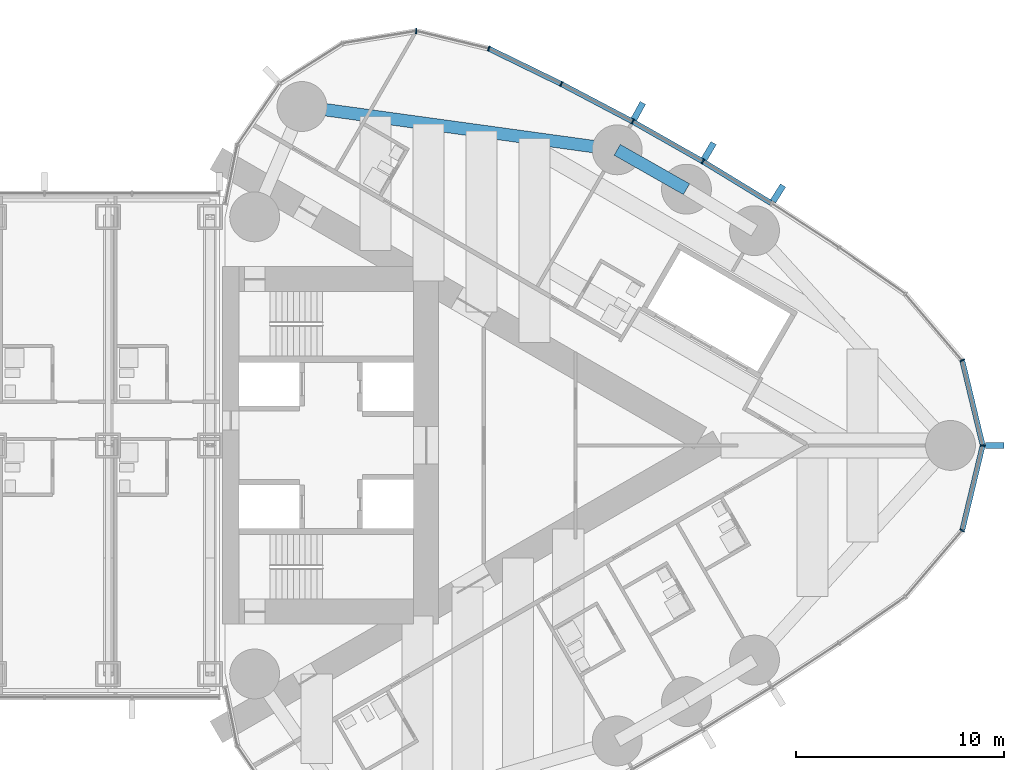
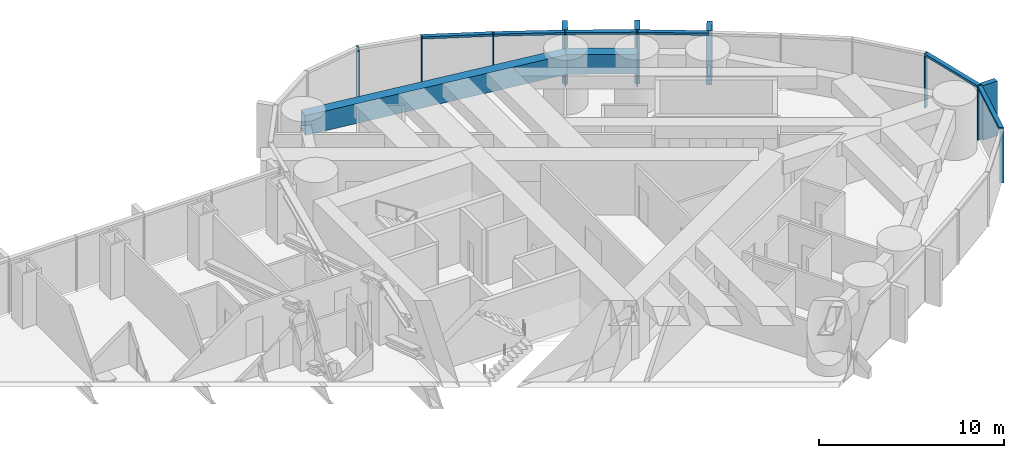
# One storey, part 11 of 23: 18 members, 2 beams, 1 element without a shape of its own.
"""IFC4 building model written with IfcOpenShell, lengths in metres."""

from ifc_helpers import new_model, si_unit, direction, frame, origin, origin_2d, place, context, subcontext, project, spatial, rectangle, hollow_rectangle, extrude, material, material_profile, profile_set, type_object, element, aggregate, save


model = new_model("IFC4")

# Units and contexts
model_context = context("Model", 3, precision=1e-05, world=origin(), true_north=direction((0.0, 1.0)))
body_context = subcontext(model_context, "Body", "Model", "MODEL_VIEW")
ifc_project = project(units=[si_unit("LENGTHUNIT", "METRE"), si_unit("AREAUNIT", "SQUARE_METRE"), si_unit("VOLUMEUNIT", "CUBIC_METRE"), si_unit("PLANEANGLEUNIT", "RADIAN"), si_unit("MASSUNIT", "GRAM", prefix="KILO")], contexts=[model_context])

# Site, building, storey
site_placement = place(None, origin())
site = spatial("IfcSite", under=ifc_project, at=site_placement, CompositionType="ELEMENT")
building_placement = place(site_placement, origin())
building = spatial("IfcBuilding", under=site, at=building_placement, Name="Lancet Gate Hotel", CompositionType="ELEMENT")
storey_placement = place(building_placement, frame((0.0, 0.0, 215.300048828125)))
storey = spatial("IfcBuildingStorey", under=building, at=storey_placement, Name="L57", CompositionType="ELEMENT", Elevation=215.300048828125)

# Curtain wall, members
ifc_material_1 = material(Name="Aluminium curtain wall", Category="aluminium")
curtain_wall_type = type_object("IfcCurtainWallType", Name="Tower unitised curtain wall", PredefinedType="USERDEFINED", material=ifc_material_1)
curtain_wall_placement = place(storey_placement, origin())
curtain_wall = element("IfcCurtainWall", 1, at=curtain_wall_placement, inside=storey, type_object=curtain_wall_type, Name="T2 L57 curtain wall 1", ObjectType="UNITISED CURTAIN WALL", PredefinedType="USERDEFINED")
ifc_material_2 = material(Name="Aluminium mullion", Category="aluminium")
ifc_material_profile_1 = material_profile(ifc_material_2, rectangle(XDim=0.06494140625, YDim=0.25, at=origin_2d()), Name="MULLION 65x250")
ifc_profile_set_1 = profile_set([ifc_material_profile_1], Name="Aluminium mullion")
member_type_1 = type_object("IfcMemberType", Name="Aluminium mullion 65x250", PredefinedType="MULLION", material=ifc_profile_set_1)
member_1_placement = place(storey_placement, frame((63.1064453125, -4.09375, 0.0), z_axis=(0.0, 0.0, 1.0), x_axis=(0.454852851296, 0.890566608215, 0.0)))
member_1 = element("IfcMember", 2, at=member_1_placement, type_object=member_type_1, Name="T2 L57 curtain wall 1 mullion 13", PredefinedType="MULLION", context=body_context, shape_type="SweptSolid", body=[
    extrude(rectangle(XDim=0.06494140625, YDim=0.25, at=origin_2d()), origin(), (0.0, 0.0, 1.0), 3.599853515625),
])
member_2_placement = place(storey_placement, frame((64.09130859375, 0.0, 0.0), z_axis=(0.0, 0.0, 1.0), x_axis=(0.0, 1.0, 0.0)))
member_2 = element("IfcMember", 3, at=member_2_placement, type_object=member_type_1, Name="T2 L57 curtain wall 1 mullion 14", PredefinedType="MULLION", context=body_context, shape_type="SweptSolid", body=[
    extrude(rectangle(XDim=0.06494140625, YDim=0.25, at=origin_2d()), origin(), (0.0, 0.0, 1.0), 3.599853515625),
])
member_3_placement = place(storey_placement, frame((63.1064453125, 4.09375, 0.0), z_axis=(0.0, 0.0, 1.0), x_axis=(-0.454852851296, 0.890566608215, 0.0)))
member_3 = element("IfcMember", 4, at=member_3_placement, type_object=member_type_1, Name="T2 L57 curtain wall 1 mullion 15", PredefinedType="MULLION", context=body_context, shape_type="SweptSolid", body=[
    extrude(rectangle(XDim=0.06494140625, YDim=0.25, at=origin_2d()), origin(), (0.0, 0.0, 1.0), 3.599853515625),
])
member_4_placement = place(storey_placement, frame((50.62060546875, 13.667236328125, 0.0), z_axis=(0.0, 0.0, 1.0), x_axis=(-0.861691755738, 0.507432082247, 0.0)))
member_4 = element("IfcMember", 5, at=member_4_placement, type_object=member_type_1, Name="T2 L57 curtain wall 1 mullion 19", PredefinedType="MULLION", context=body_context, shape_type="SweptSolid", body=[
    extrude(rectangle(XDim=0.06494140625, YDim=0.25, at=origin_2d()), origin(), (0.0, 0.0, 1.0), 3.599853515625),
])
member_5_placement = place(storey_placement, frame((47.24365234375, 15.585205078125, 0.0), z_axis=(0.0, 0.0, 1.0), x_axis=(-0.877194589488, 0.480135035352, 0.0)))
member_5 = element("IfcMember", 6, at=member_5_placement, type_object=member_type_1, Name="T2 L57 curtain wall 1 mullion 20", PredefinedType="MULLION", context=body_context, shape_type="SweptSolid", body=[
    extrude(rectangle(XDim=0.06494140625, YDim=0.25, at=origin_2d()), origin(), (0.0, 0.0, 1.0), 3.599853515625),
])
member_6_placement = place(storey_placement, frame((43.80810546875, 17.396240234375, 0.0), z_axis=(0.0, 0.0, 1.0), x_axis=(-0.891832977257, 0.452364831389, 0.0)))
member_6 = element("IfcMember", 7, at=member_6_placement, type_object=member_type_1, Name="T2 L57 curtain wall 1 mullion 21", PredefinedType="MULLION", context=body_context, shape_type="SweptSolid", body=[
    extrude(rectangle(XDim=0.06494140625, YDim=0.25, at=origin_2d()), origin(), (0.0, 0.0, 1.0), 3.599853515625),
])
member_7_placement = place(storey_placement, frame((40.3173828125, 19.098388671875, 0.0), z_axis=(0.0, 0.0, 1.0), x_axis=(-0.939483740419, 0.342593493061, 0.0)))
member_7 = element("IfcMember", 8, at=member_7_placement, type_object=member_type_1, Name="T2 L57 curtain wall 1 mullion 22", PredefinedType="MULLION", context=body_context, shape_type="SweptSolid", body=[
    extrude(rectangle(XDim=0.06494140625, YDim=0.25, at=origin_2d()), origin(), (0.0, 0.0, 1.0), 3.599853515625),
])
member_8_placement = place(storey_placement, frame((36.826171875, 19.942138671875, 0.0), z_axis=(0.0, 0.0, 1.0), x_axis=(-0.999342744911, 0.03625021647, 0.0)))
member_8 = element("IfcMember", 9, at=member_8_placement, type_object=member_type_1, Name="T2 L57 curtain wall 1 mullion 23", PredefinedType="MULLION", context=body_context, shape_type="SweptSolid", body=[
    extrude(rectangle(XDim=0.06494140625, YDim=0.25, at=origin_2d()), origin(), (0.0, 0.0, 1.0), 3.599853515625),
])
ifc_material_3 = material(Name="Aluminium transom", Category="aluminium")
ifc_material_profile_2 = material_profile(ifc_material_3, rectangle(XDim=0.25, YDim=0.14990234375, at=origin_2d()), Name="TRANSOM 250x150")
ifc_profile_set_2 = profile_set([ifc_material_profile_2], Name="Aluminium transom")
member_type_2 = type_object("IfcMemberType", Name="Aluminium transom 250x150", PredefinedType="USERDEFINED", material=ifc_profile_set_2)
member_9_placement = place(storey_placement, frame((63.114013671875, -4.06201171875, 3.52490234375), z_axis=(0.233920855872, 0.972255641891, 0.0), x_axis=(-0.972255641891, 0.233920855872, 0.0)))
member_9 = element("IfcMember", 10, at=member_9_placement, type_object=member_type_2, Name="T2 L57 curtain wall 1 transom 13", ObjectType="TRANSOM", PredefinedType="USERDEFINED", context=body_context, shape_type="SweptSolid", body=[
    extrude(rectangle(XDim=0.25, YDim=0.14990234375, at=origin_2d()), origin(), (0.0, 0.0, 1.0), 4.1455078125),
])
member_10_placement = place(storey_placement, frame((64.083740234375, 0.031494140625, 3.52490234375), z_axis=(-0.233920855872, 0.972255641891, 0.0), x_axis=(-0.972255641891, -0.233920855872, 0.0)))
member_10 = element("IfcMember", 11, at=member_10_placement, type_object=member_type_2, Name="T2 L57 curtain wall 1 transom 14", ObjectType="TRANSOM", PredefinedType="USERDEFINED", context=body_context, shape_type="SweptSolid", body=[
    extrude(rectangle(XDim=0.25, YDim=0.14990234375, at=origin_2d()), origin(), (0.0, 0.0, 1.0), 4.1455078125),
])
member_11_placement = place(storey_placement, frame((53.907958984375, 11.661376953125, 3.52490234375), z_axis=(-0.853638798527, 0.520865435261, 0.0), x_axis=(-0.520865435261, -0.853638798527, 0.0)))
member_11 = element("IfcMember", 12, at=member_11_placement, type_object=member_type_2, Name="T2 L57 curtain wall 1 transom 18", ObjectType="TRANSOM", PredefinedType="USERDEFINED", context=body_context, shape_type="SweptSolid", body=[
    extrude(rectangle(XDim=0.25, YDim=0.14990234375, at=origin_2d()), origin(), (0.0, 0.0, 1.0), 3.818603515625),
])
member_12_placement = place(storey_placement, frame((50.59228515625, 13.683349609375, 3.52490234375), z_axis=(-0.869562011924, 0.493823761496, 0.0), x_axis=(-0.493823761496, -0.869562011924, 0.0)))
member_12 = element("IfcMember", 13, at=member_12_placement, type_object=member_type_2, Name="T2 L57 curtain wall 1 transom 19", ObjectType="TRANSOM", PredefinedType="USERDEFINED", context=body_context, shape_type="SweptSolid", body=[
    extrude(rectangle(XDim=0.25, YDim=0.14990234375, at=origin_2d()), origin(), (0.0, 0.0, 1.0), 3.818603515625),
])
member_13_placement = place(storey_placement, frame((47.21484375, 15.600341796875, 3.52490234375), z_axis=(-0.884618491031, 0.466315478325, 0.0), x_axis=(-0.466315478325, -0.884618491031, 0.0)))
member_13 = element("IfcMember", 14, at=member_13_placement, type_object=member_type_2, Name="T2 L57 curtain wall 1 transom 20", ObjectType="TRANSOM", PredefinedType="USERDEFINED", context=body_context, shape_type="SweptSolid", body=[
    extrude(rectangle(XDim=0.25, YDim=0.14990234375, at=origin_2d()), origin(), (0.0, 0.0, 1.0), 3.81884765625),
])
member_14_placement = place(storey_placement, frame((43.77880859375, 17.410400390625, 3.52490234375), z_axis=(-0.898820051991, 0.438317823206, 0.0), x_axis=(-0.438317823206, -0.898820051991, 0.0)))
member_14 = element("IfcMember", 15, at=member_14_placement, type_object=member_type_2, Name="T2 L57 curtain wall 1 transom 21", ObjectType="TRANSOM", PredefinedType="USERDEFINED", context=body_context, shape_type="SweptSolid", body=[
    extrude(rectangle(XDim=0.25, YDim=0.14990234375, at=origin_2d()), origin(), (0.0, 0.0, 1.0), 3.81884765625),
])

# Beams
ifc_material_4 = material(Name="Steel S460QL", Category="steel")
ifc_material_profile_3 = material_profile(ifc_material_4, hollow_rectangle(XDim=0.60009765625, YDim=1.300048828125, WallThickness=0.050048828125, at=origin_2d()), Name="BOX 1300x600x50")
ifc_profile_set_3 = profile_set([ifc_material_profile_3], Name="Steel S460QL")
beam_type = type_object("IfcBeamType", Name="Edge beam BOX 1300x600x50", PredefinedType="SPANDREL", material=ifc_profile_set_3)
beam_1_placement = place(storey_placement, frame((49.833984375, 12.331787109375, 2.699951171875), z_axis=(-0.869560321562, 0.493826738001, 0.0), x_axis=(-0.493826738001, -0.869560321562, 0.0)))
element("IfcBeam", 16, at=beam_1_placement, inside=storey, type_object=beam_type, Name="T2 edge beam EB2 L57", PredefinedType="SPANDREL", context=body_context, shape_type="SweptSolid", body=[
    extrude(hollow_rectangle(XDim=0.60009765625, YDim=1.300048828125, WallThickness=0.050048828125, at=origin_2d()), origin(), (0.0, 0.0, 1.0), 3.8349609375),
])
beam_2_placement = place(storey_placement, frame((46.499267578125, 14.2255859375, 2.699951171875), z_axis=(-0.990685830783, 0.13616748762, 0.0), x_axis=(-0.13616748762, -0.990685830783, 0.0)))
element("IfcBeam", 17, at=beam_2_placement, inside=storey, type_object=beam_type, Name="T2 edge beam EB2 L57", PredefinedType="SPANDREL", context=body_context, shape_type="SweptSolid", body=[
    extrude(hollow_rectangle(XDim=0.60009765625, YDim=1.300048828125, WallThickness=0.050048828125, at=origin_2d()), origin(), (0.0, 0.0, 1.0), 15.3134765625),
])

# Member
ifc_material_5 = material(Name="Precast concrete C50/60", Category="concrete")
ifc_material_profile_4 = material_profile(ifc_material_5, rectangle(XDim=0.300048828125, YDim=0.89990234375, at=origin_2d()), Name="FIN 300x900")
ifc_profile_set_4 = profile_set([ifc_material_profile_4], Name="Precast concrete C50/60")
member_type_3 = type_object("IfcMemberType", Name="Exposed concrete fin 300x900", PredefinedType="USERDEFINED", material=ifc_profile_set_4)
member_15_placement = place(storey_placement, frame((64.66650390625, 0.0, 0.0), z_axis=(0.0, 0.0, 1.0), x_axis=(0.0, 1.0, 0.0)))
member_15 = element("IfcMember", 18, at=member_15_placement, type_object=member_type_3, Name="T2 L57 curtain wall 1 fin 14", ObjectType="FIN", PredefinedType="USERDEFINED", context=body_context, shape_type="SweptSolid", body=[
    extrude(rectangle(XDim=0.300048828125, YDim=0.89990234375, at=origin_2d()), origin(), (0.0, 0.0, 1.0), 3.599853515625),
])

member_16_placement = place(storey_placement, frame((54.242919921875, 12.13037109375, 0.0), z_axis=(0.0, 0.0, 1.0), x_axis=(-0.845339753513, 0.534229071777, 0.0)))
member_16 = element("IfcMember", 19, at=member_16_placement, type_object=member_type_3, Name="T2 L57 curtain wall 1 fin 18", ObjectType="FIN", PredefinedType="USERDEFINED", context=body_context, shape_type="SweptSolid", body=[
    extrude(rectangle(XDim=0.300048828125, YDim=0.89990234375, at=origin_2d()), origin(), (0.0, 0.0, 1.0), 3.599853515625),
])

member_17_placement = place(storey_placement, frame((50.912353515625, 14.162841796875, 0.0), z_axis=(0.0, 0.0, 1.0), x_axis=(-0.861691755738, 0.507432082247, 0.0)))
member_17 = element("IfcMember", 20, at=member_17_placement, type_object=member_type_3, Name="T2 L57 curtain wall 1 fin 19", ObjectType="FIN", PredefinedType="USERDEFINED", context=body_context, shape_type="SweptSolid", body=[
    extrude(rectangle(XDim=0.300048828125, YDim=0.89990234375, at=origin_2d()), origin(), (0.0, 0.0, 1.0), 3.599853515625),
])

member_18_placement = place(storey_placement, frame((47.51953125, 16.089599609375, 0.0), z_axis=(0.0, 0.0, 1.0), x_axis=(-0.877194589488, 0.480135035352, 0.0)))
member_18 = element("IfcMember", 21, at=member_18_placement, type_object=member_type_3, Name="T2 L57 curtain wall 1 fin 20", ObjectType="FIN", PredefinedType="USERDEFINED", context=body_context, shape_type="SweptSolid", body=[
    extrude(rectangle(XDim=0.300048828125, YDim=0.89990234375, at=origin_2d()), origin(), (0.0, 0.0, 1.0), 3.599853515625),
])

aggregate(curtain_wall, [member_1, member_2, member_15, member_3, member_16, member_4, member_17, member_5, member_18, member_6, member_7, member_8, member_9, member_10, member_11, member_12, member_13, member_14])

save(model, "model.ifc")
